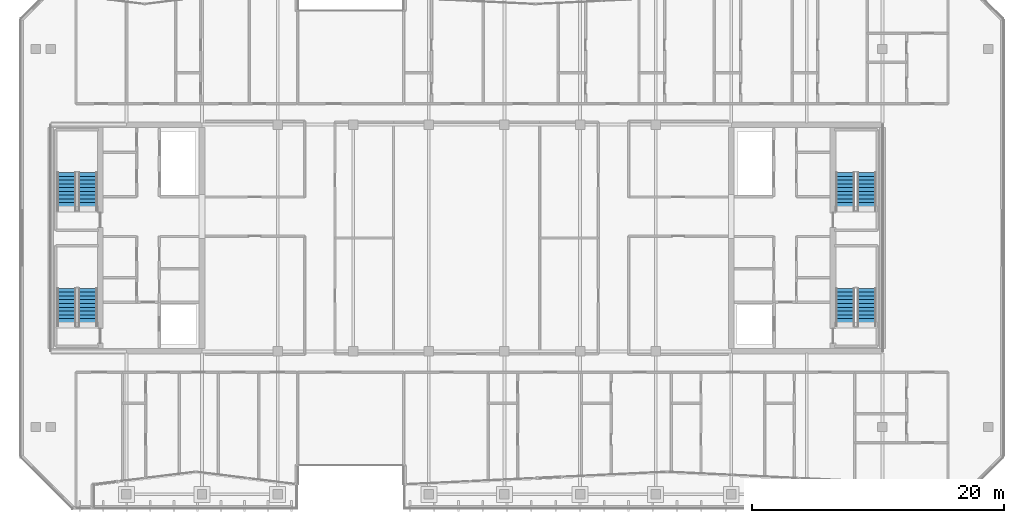
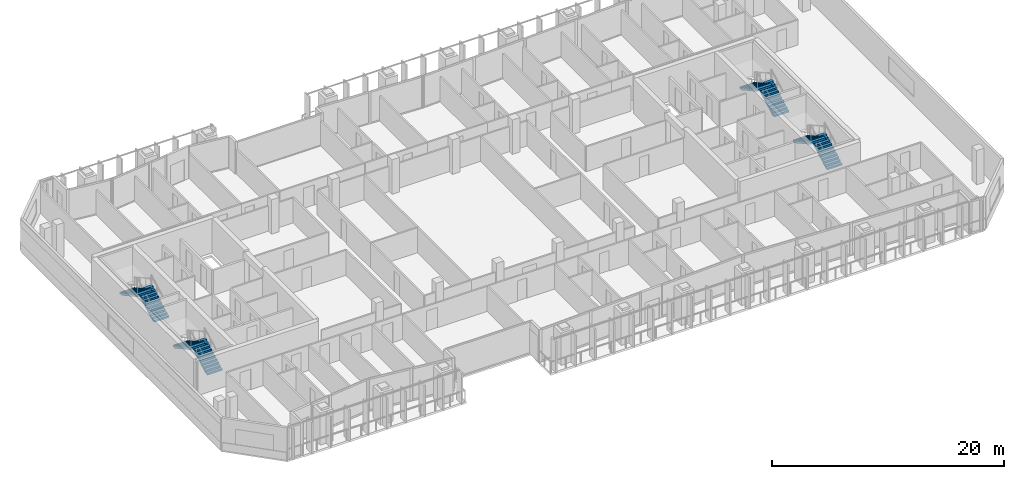
# One storey, part 26 of 31: 8 stair flights, 4 elements without a shape of their own.
"""IFC4 building model written with IfcOpenShell, lengths in metres."""

from ifc_helpers import new_model, si_unit, direction, frame, origin, place, context, subcontext, project, spatial, polyline, outline, extrude, material, type_object, element, aggregate, save


model = new_model("IFC4")

# Units and contexts
model_context = context("Model", 3, precision=1e-05, world=origin(), true_north=direction((0.0, 1.0)))
body_context = subcontext(model_context, "Body", "Model", "MODEL_VIEW")
ifc_project = project(units=[si_unit("LENGTHUNIT", "METRE"), si_unit("AREAUNIT", "SQUARE_METRE"), si_unit("VOLUMEUNIT", "CUBIC_METRE"), si_unit("PLANEANGLEUNIT", "RADIAN"), si_unit("MASSUNIT", "GRAM", prefix="KILO")], contexts=[model_context])

# Site, building, storey
site_placement = place(None, origin())
site = spatial("IfcSite", under=ifc_project, at=site_placement, CompositionType="ELEMENT")
building_placement = place(site_placement, origin())
building = spatial("IfcBuilding", under=site, at=building_placement, Name="Tanjung Sevakor Pilgrim Tower", CompositionType="ELEMENT")
storey_placement = place(building_placement, frame((0.0, 0.0, 208.22998046875)))
storey = spatial("IfcBuildingStorey", under=building, at=storey_placement, Name="L58", CompositionType="ELEMENT", Elevation=208.22998046875)

# Stair, stair flights
ifc_material_1 = material(Name="Concrete C40/50", Category="concrete")
stair_type = type_object("IfcStairType", Name="STAIR-ST-CR150", PredefinedType="HALF_TURN_STAIR", material=ifc_material_1)
stair_1_placement = place(storey_placement, origin())
stair_1 = element("IfcStair", 1, at=stair_1_placement, inside=storey, type_object=stair_type, Name="L58 West Core Exit Stair 1", PredefinedType="HALF_TURN_STAIR")
ifc_material_2 = material(Name="Concrete C40/50", Category="concrete")
stair_flight_type = type_object("IfcStairFlightType", Name="FLIGHT-ST-CR150", PredefinedType="STRAIGHT", material=ifc_material_2)
stair_flight_1_placement = place(storey_placement, frame((26.949951171875, 26.60009765625, 0.0), z_axis=(0.0, 0.0, 1.0), x_axis=(0.0, 1.0, 0.0)))
stair_flight_1 = element("IfcStairFlight", 2, at=stair_flight_1_placement, type_object=stair_flight_type, Name="TS-W1 flight 1", NumberOfRisers=11, NumberOfTreads=10, PredefinedType="STRAIGHT", RiserHeight=0.165, TreadLength=0.3, context=body_context, shape_type="SweptSolid", body=[
    extrude(outline(polyline([(0.0, 0.0), (0.0, 0.1650390625), (0.300048828125, 0.1650390625), (0.300048828125, 0.330078125), (0.60009765625, 0.330078125), (0.60009765625, 0.4951171875), (0.89990234375, 0.4951171875), (0.89990234375, 0.659912109375), (1.199951171875, 0.659912109375), (1.199951171875, 0.824951171875), (1.5, 0.824951171875), (1.5, 0.989990234375), (1.800048828125, 0.989990234375), (1.800048828125, 1.155029296875), (2.10009765625, 1.155029296875), (2.10009765625, 1.320068359375), (2.39990234375, 1.320068359375), (2.39990234375, 1.485107421875), (2.699951171875, 1.485107421875), (2.699951171875, 1.64990234375), (3.0, 1.64990234375), (3.0, 1.81494140625), (3.0, 1.467529296875), (0.331787109375, 0.0), (0.0, 0.0)])), frame((0.0, 0.75, 0.0), z_axis=(0.0, -1.0, 0.0), x_axis=(1.0, 0.0, 0.0)), (0.0, 0.0, 1.0), 1.5),
])
stair_flight_2_placement = place(storey_placement, frame((25.25, 29.60009765625, 1.81494140625), z_axis=(0.0, 0.0, 1.0), x_axis=(0.0, -1.0, 0.0)))
stair_flight_2 = element("IfcStairFlight", 3, at=stair_flight_2_placement, type_object=stair_flight_type, Name="TS-W1 flight 2", NumberOfRisers=11, NumberOfTreads=10, PredefinedType="STRAIGHT", RiserHeight=0.165, TreadLength=0.3, context=body_context, shape_type="SweptSolid", body=[
    extrude(outline(polyline([(0.0, 0.0), (0.0, 0.1650390625), (0.300048828125, 0.1650390625), (0.300048828125, 0.330078125), (0.60009765625, 0.330078125), (0.60009765625, 0.4951171875), (0.89990234375, 0.4951171875), (0.89990234375, 0.659912109375), (1.199951171875, 0.659912109375), (1.199951171875, 0.824951171875), (1.5, 0.824951171875), (1.5, 0.989990234375), (1.800048828125, 0.989990234375), (1.800048828125, 1.155029296875), (2.10009765625, 1.155029296875), (2.10009765625, 1.320068359375), (2.39990234375, 1.320068359375), (2.39990234375, 1.485107421875), (2.699951171875, 1.485107421875), (2.699951171875, 1.64990234375), (3.0, 1.64990234375), (3.0, 1.81494140625), (3.0, 1.467529296875), (0.331787109375, 0.0), (0.0, 0.0)])), frame((0.0, 0.75, 0.0), z_axis=(0.0, -1.0, 0.0), x_axis=(1.0, 0.0, 0.0)), (0.0, 0.0, 1.0), 1.5),
])
aggregate(stair_1, [stair_flight_1, stair_flight_2])

stair_2_placement = place(storey_placement, origin())
stair_2 = element("IfcStair", 4, at=stair_2_placement, inside=storey, type_object=stair_type, Name="L58 West Core Exit Stair 2", PredefinedType="HALF_TURN_STAIR")
stair_flight_3_placement = place(storey_placement, frame((26.949951171875, 35.800048828125, 0.0), z_axis=(0.0, 0.0, 1.0), x_axis=(0.0, 1.0, 0.0)))
stair_flight_3 = element("IfcStairFlight", 5, at=stair_flight_3_placement, type_object=stair_flight_type, Name="TS-W2 flight 1", NumberOfRisers=11, NumberOfTreads=10, PredefinedType="STRAIGHT", RiserHeight=0.165, TreadLength=0.3, context=body_context, shape_type="SweptSolid", body=[
    extrude(outline(polyline([(0.0, 0.0), (0.0, 0.1650390625), (0.300048828125, 0.1650390625), (0.300048828125, 0.330078125), (0.60009765625, 0.330078125), (0.60009765625, 0.4951171875), (0.89990234375, 0.4951171875), (0.89990234375, 0.659912109375), (1.199951171875, 0.659912109375), (1.199951171875, 0.824951171875), (1.5, 0.824951171875), (1.5, 0.989990234375), (1.800048828125, 0.989990234375), (1.800048828125, 1.155029296875), (2.10009765625, 1.155029296875), (2.10009765625, 1.320068359375), (2.39990234375, 1.320068359375), (2.39990234375, 1.485107421875), (2.699951171875, 1.485107421875), (2.699951171875, 1.64990234375), (3.0, 1.64990234375), (3.0, 1.81494140625), (3.0, 1.467529296875), (0.331787109375, 0.0), (0.0, 0.0)])), frame((0.0, 0.75, 0.0), z_axis=(0.0, -1.0, 0.0), x_axis=(1.0, 0.0, 0.0)), (0.0, 0.0, 1.0), 1.5),
])
stair_flight_4_placement = place(storey_placement, frame((25.25, 38.800048828125, 1.81494140625), z_axis=(0.0, 0.0, 1.0), x_axis=(0.0, -1.0, 0.0)))
stair_flight_4 = element("IfcStairFlight", 6, at=stair_flight_4_placement, type_object=stair_flight_type, Name="TS-W2 flight 2", NumberOfRisers=11, NumberOfTreads=10, PredefinedType="STRAIGHT", RiserHeight=0.165, TreadLength=0.3, context=body_context, shape_type="SweptSolid", body=[
    extrude(outline(polyline([(0.0, 0.0), (0.0, 0.1650390625), (0.300048828125, 0.1650390625), (0.300048828125, 0.330078125), (0.60009765625, 0.330078125), (0.60009765625, 0.4951171875), (0.89990234375, 0.4951171875), (0.89990234375, 0.659912109375), (1.199951171875, 0.659912109375), (1.199951171875, 0.824951171875), (1.5, 0.824951171875), (1.5, 0.989990234375), (1.800048828125, 0.989990234375), (1.800048828125, 1.155029296875), (2.10009765625, 1.155029296875), (2.10009765625, 1.320068359375), (2.39990234375, 1.320068359375), (2.39990234375, 1.485107421875), (2.699951171875, 1.485107421875), (2.699951171875, 1.64990234375), (3.0, 1.64990234375), (3.0, 1.81494140625), (3.0, 1.467529296875), (0.331787109375, 0.0), (0.0, 0.0)])), frame((0.0, 0.75, 0.0), z_axis=(0.0, -1.0, 0.0), x_axis=(1.0, 0.0, 0.0)), (0.0, 0.0, 1.0), 1.5),
])
aggregate(stair_2, [stair_flight_3, stair_flight_4])

stair_3_placement = place(storey_placement, origin())
stair_3 = element("IfcStair", 7, at=stair_3_placement, inside=storey, type_object=stair_type, Name="L58 East Core Exit Stair 1", PredefinedType="HALF_TURN_STAIR")
stair_flight_5_placement = place(storey_placement, frame((88.75, 26.60009765625, 0.0), z_axis=(0.0, 0.0, 1.0), x_axis=(0.0, 1.0, 0.0)))
stair_flight_5 = element("IfcStairFlight", 8, at=stair_flight_5_placement, type_object=stair_flight_type, Name="TS-E1 flight 1", NumberOfRisers=11, NumberOfTreads=10, PredefinedType="STRAIGHT", RiserHeight=0.165, TreadLength=0.3, context=body_context, shape_type="SweptSolid", body=[
    extrude(outline(polyline([(0.0, 0.0), (0.0, 0.1650390625), (0.300048828125, 0.1650390625), (0.300048828125, 0.330078125), (0.60009765625, 0.330078125), (0.60009765625, 0.4951171875), (0.89990234375, 0.4951171875), (0.89990234375, 0.659912109375), (1.199951171875, 0.659912109375), (1.199951171875, 0.824951171875), (1.5, 0.824951171875), (1.5, 0.989990234375), (1.800048828125, 0.989990234375), (1.800048828125, 1.155029296875), (2.10009765625, 1.155029296875), (2.10009765625, 1.320068359375), (2.39990234375, 1.320068359375), (2.39990234375, 1.485107421875), (2.699951171875, 1.485107421875), (2.699951171875, 1.64990234375), (3.0, 1.64990234375), (3.0, 1.81494140625), (3.0, 1.467529296875), (0.331787109375, 0.0), (0.0, 0.0)])), frame((0.0, 0.75, 0.0), z_axis=(0.0, -1.0, 0.0), x_axis=(1.0, 0.0, 0.0)), (0.0, 0.0, 1.0), 1.5),
])
stair_flight_6_placement = place(storey_placement, frame((87.050048828125, 29.60009765625, 1.81494140625), z_axis=(0.0, 0.0, 1.0), x_axis=(0.0, -1.0, 0.0)))
stair_flight_6 = element("IfcStairFlight", 9, at=stair_flight_6_placement, type_object=stair_flight_type, Name="TS-E1 flight 2", NumberOfRisers=11, NumberOfTreads=10, PredefinedType="STRAIGHT", RiserHeight=0.165, TreadLength=0.3, context=body_context, shape_type="SweptSolid", body=[
    extrude(outline(polyline([(0.0, 0.0), (0.0, 0.1650390625), (0.300048828125, 0.1650390625), (0.300048828125, 0.330078125), (0.60009765625, 0.330078125), (0.60009765625, 0.4951171875), (0.89990234375, 0.4951171875), (0.89990234375, 0.659912109375), (1.199951171875, 0.659912109375), (1.199951171875, 0.824951171875), (1.5, 0.824951171875), (1.5, 0.989990234375), (1.800048828125, 0.989990234375), (1.800048828125, 1.155029296875), (2.10009765625, 1.155029296875), (2.10009765625, 1.320068359375), (2.39990234375, 1.320068359375), (2.39990234375, 1.485107421875), (2.699951171875, 1.485107421875), (2.699951171875, 1.64990234375), (3.0, 1.64990234375), (3.0, 1.81494140625), (3.0, 1.467529296875), (0.331787109375, 0.0), (0.0, 0.0)])), frame((0.0, 0.75, 0.0), z_axis=(0.0, -1.0, 0.0), x_axis=(1.0, 0.0, 0.0)), (0.0, 0.0, 1.0), 1.5),
])
aggregate(stair_3, [stair_flight_5, stair_flight_6])

stair_4_placement = place(storey_placement, origin())
stair_4 = element("IfcStair", 10, at=stair_4_placement, inside=storey, type_object=stair_type, Name="L58 East Core Exit Stair 2", PredefinedType="HALF_TURN_STAIR")
stair_flight_7_placement = place(storey_placement, frame((88.75, 35.800048828125, 0.0), z_axis=(0.0, 0.0, 1.0), x_axis=(0.0, 1.0, 0.0)))
stair_flight_7 = element("IfcStairFlight", 11, at=stair_flight_7_placement, type_object=stair_flight_type, Name="TS-E2 flight 1", NumberOfRisers=11, NumberOfTreads=10, PredefinedType="STRAIGHT", RiserHeight=0.165, TreadLength=0.3, context=body_context, shape_type="SweptSolid", body=[
    extrude(outline(polyline([(0.0, 0.0), (0.0, 0.1650390625), (0.300048828125, 0.1650390625), (0.300048828125, 0.330078125), (0.60009765625, 0.330078125), (0.60009765625, 0.4951171875), (0.89990234375, 0.4951171875), (0.89990234375, 0.659912109375), (1.199951171875, 0.659912109375), (1.199951171875, 0.824951171875), (1.5, 0.824951171875), (1.5, 0.989990234375), (1.800048828125, 0.989990234375), (1.800048828125, 1.155029296875), (2.10009765625, 1.155029296875), (2.10009765625, 1.320068359375), (2.39990234375, 1.320068359375), (2.39990234375, 1.485107421875), (2.699951171875, 1.485107421875), (2.699951171875, 1.64990234375), (3.0, 1.64990234375), (3.0, 1.81494140625), (3.0, 1.467529296875), (0.331787109375, 0.0), (0.0, 0.0)])), frame((0.0, 0.75, 0.0), z_axis=(0.0, -1.0, 0.0), x_axis=(1.0, 0.0, 0.0)), (0.0, 0.0, 1.0), 1.5),
])
stair_flight_8_placement = place(storey_placement, frame((87.050048828125, 38.800048828125, 1.81494140625), z_axis=(0.0, 0.0, 1.0), x_axis=(0.0, -1.0, 0.0)))
stair_flight_8 = element("IfcStairFlight", 12, at=stair_flight_8_placement, type_object=stair_flight_type, Name="TS-E2 flight 2", NumberOfRisers=11, NumberOfTreads=10, PredefinedType="STRAIGHT", RiserHeight=0.165, TreadLength=0.3, context=body_context, shape_type="SweptSolid", body=[
    extrude(outline(polyline([(0.0, 0.0), (0.0, 0.1650390625), (0.300048828125, 0.1650390625), (0.300048828125, 0.330078125), (0.60009765625, 0.330078125), (0.60009765625, 0.4951171875), (0.89990234375, 0.4951171875), (0.89990234375, 0.659912109375), (1.199951171875, 0.659912109375), (1.199951171875, 0.824951171875), (1.5, 0.824951171875), (1.5, 0.989990234375), (1.800048828125, 0.989990234375), (1.800048828125, 1.155029296875), (2.10009765625, 1.155029296875), (2.10009765625, 1.320068359375), (2.39990234375, 1.320068359375), (2.39990234375, 1.485107421875), (2.699951171875, 1.485107421875), (2.699951171875, 1.64990234375), (3.0, 1.64990234375), (3.0, 1.81494140625), (3.0, 1.467529296875), (0.331787109375, 0.0), (0.0, 0.0)])), frame((0.0, 0.75, 0.0), z_axis=(0.0, -1.0, 0.0), x_axis=(1.0, 0.0, 0.0)), (0.0, 0.0, 1.0), 1.5),
])
aggregate(stair_4, [stair_flight_7, stair_flight_8])

save(model, "model.ifc")
